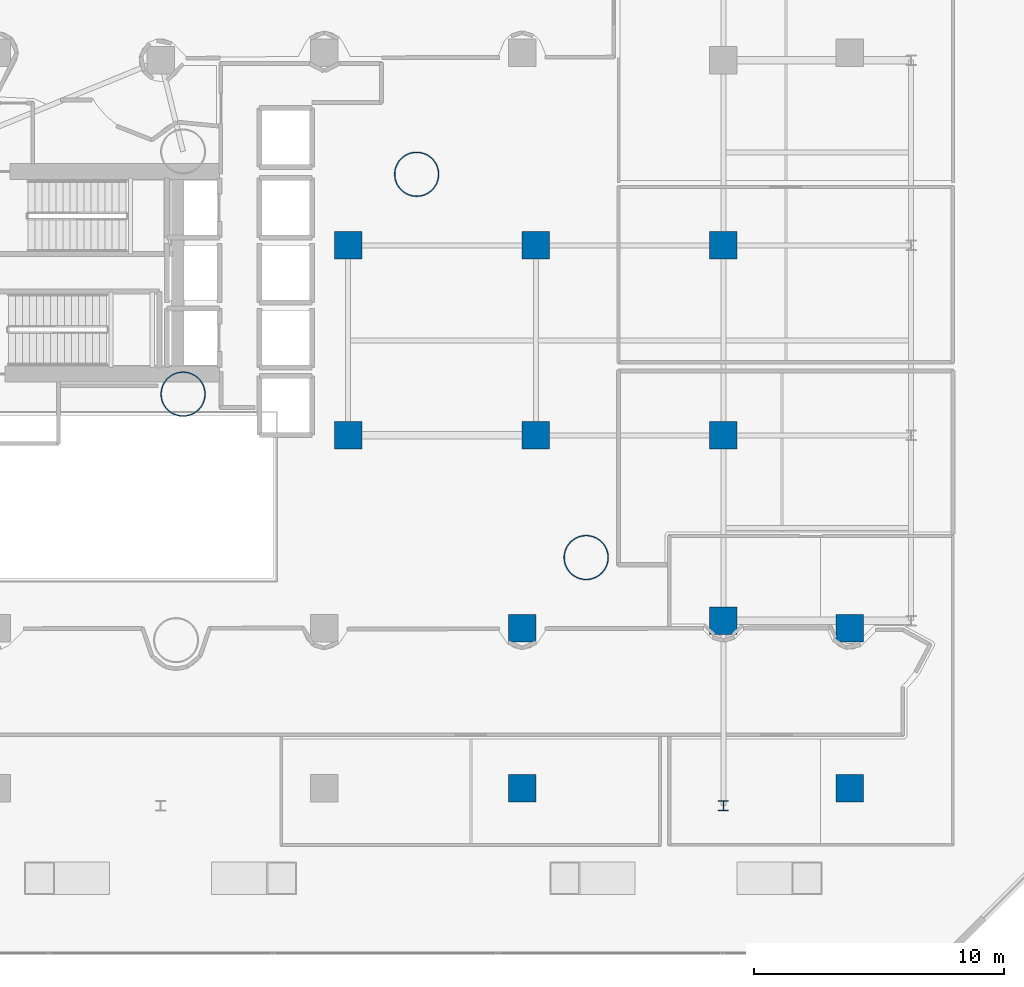
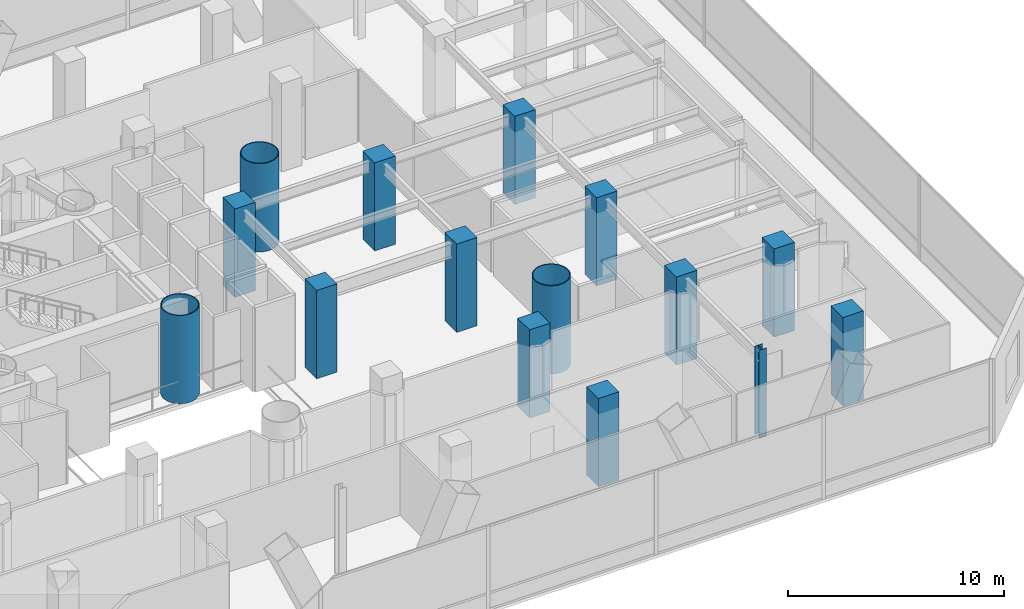
# One storey, part 2 of 42: 15 columns.
"""IFC4 building model written with IfcOpenShell, lengths in metres."""

from ifc_helpers import new_model, si_unit, direction, frame, origin, origin_2d, place, context, subcontext, project, spatial, rectangle, hollow_circle, i_section, extrude, material, material_profile, profile_set, type_object, element, save


model = new_model("IFC4")

# Units and contexts
model_context = context("Model", 3, precision=1e-05, world=origin(), true_north=direction((0.0, 1.0)))
body_context = subcontext(model_context, "Body", "Model", "MODEL_VIEW")
ifc_project = project(units=[si_unit("LENGTHUNIT", "METRE"), si_unit("AREAUNIT", "SQUARE_METRE"), si_unit("VOLUMEUNIT", "CUBIC_METRE"), si_unit("PLANEANGLEUNIT", "RADIAN"), si_unit("MASSUNIT", "GRAM", prefix="KILO")], contexts=[model_context])

# Site, building, storey
site_placement = place(None, origin())
site = spatial("IfcSite", under=ifc_project, at=site_placement, CompositionType="ELEMENT")
building_placement = place(site_placement, origin())
building = spatial("IfcBuilding", under=site, at=building_placement, Name="Qianvela Tower", CompositionType="ELEMENT")
storey_placement = place(building_placement, frame((0.0, 0.0, 6.0)))
storey = spatial("IfcBuildingStorey", under=building, at=storey_placement, Name="L01", CompositionType="ELEMENT", Elevation=6.0)

# Columns
ifc_material_1 = material(Name="Steel Q420GJC", Category="steel")
ifc_material_profile_1 = material_profile(ifc_material_1, hollow_circle(Radius=0.89990234375, WallThickness=0.044921875, at=origin_2d()), Name="CFT-1800x45")
ifc_profile_set_1 = profile_set([ifc_material_profile_1], Name="Steel Q420GJC")
column_type_1 = type_object("IfcColumnType", Name="COL-CFT-1800x45", PredefinedType="COLUMN", material=ifc_profile_set_1)
for number, where, z_axis, x_axis, name in (
    (1, (38.39990234375, 23.85009765625, 0.0), (0.0, 0.0, 1.0), (1.0, 0.0, 0.0), "L01 Core Corner Mega-Column CC-SE"),
    (2, (54.511962890625, 17.31689453125, 0.0), (0.0, 0.0, 1.0), (1.0, 0.0, 0.0), "L01 Tower Base CFT Mega-Column C1"),
    (3, (47.736083984375, 32.636962890625, 0.0), (0.0, 0.0, 1.0), (1.0, 0.0, 0.0), "L01 Tower Base CFT Mega-Column C2"),
):
    element("IfcColumn", number, at=place(storey_placement, frame(where, z_axis=z_axis, x_axis=x_axis)), inside=storey, type_object=column_type_1, Name=name, PredefinedType="COLUMN", context=body_context, shape_type="SweptSolid", body=[
        extrude(hollow_circle(Radius=0.89990234375, WallThickness=0.044921875, at=origin_2d()), origin(), (0.0, 0.0, 1.0), 5.0),
    ])
ifc_material_2 = material(Name="Steel Q355B", Category="steel")
ifc_material_profile_2 = material_profile(ifc_material_2, i_section(OverallWidth=0.39990234375, OverallDepth=0.39990234375, WebThickness=0.012939453125, FlangeThickness=0.02099609375, at=origin_2d()), Name="HW400x400x13x21")
ifc_profile_set_2 = profile_set([ifc_material_profile_2], Name="Steel Q355B")
column_type_2 = type_object("IfcColumnType", Name="COL-HW-400", PredefinedType="COLUMN", material=ifc_profile_set_2)
column_placement = place(storey_placement, frame((60.0, 7.39990234375, 0.0), z_axis=(0.0, 0.0, 1.0), x_axis=(1.0, 0.0, 0.0)))
element("IfcColumn", 4, at=column_placement, inside=storey, type_object=column_type_2, Name="L01 Podium Grid Column P38", PredefinedType="COLUMN", context=body_context, shape_type="SweptSolid", body=[
    extrude(i_section(OverallWidth=0.39990234375, OverallDepth=0.39990234375, WebThickness=0.012939453125, FlangeThickness=0.02099609375, at=origin_2d()), origin(), (0.0, 0.0, 1.0), 5.0),
])
ifc_material_3 = material(Name="Concrete C60", Category="concrete")
ifc_material_profile_3 = material_profile(ifc_material_3, rectangle(XDim=1.10009765625, YDim=1.10009765625, at=origin_2d()), Name="RC-COL-1100x1100")
ifc_profile_set_3 = profile_set([ifc_material_profile_3], Name="Concrete C60")
column_type_3 = type_object("IfcColumnType", Name="COL-RC-1100", PredefinedType="COLUMN", material=ifc_profile_set_3)
for number, where, z_axis, x_axis, name in (
    (5, (51.955322265625, 8.10009765625, 0.0), (0.0, 0.0, 1.0), (1.0, 0.0, 0.0), "L01 Concourse Colonnade Column VC-S3-L-B1"),
    (6, (51.955322265625, 14.5, 0.0), (0.0, 0.0, 1.0), (1.0, 0.0, 0.0), "L01 Concourse Colonnade Column VC-S3-L-B2"),
    (7, (65.044677734375, 8.10009765625, 0.0), (0.0, 0.0, 1.0), (1.0, 0.0, 0.0), "L01 Concourse Colonnade Column VC-S3-R-B1"),
    (8, (65.044677734375, 14.5, 0.0), (0.0, 0.0, 1.0), (1.0, 0.0, 0.0), "L01 Concourse Colonnade Column VC-S3-R-B2"),
    (9, (45.0, 22.199951171875, 0.0), (0.0, 0.0, 1.0), (1.0, 0.0, 0.0), "L01 Podium Grid Column P28"),
    (10, (45.0, 29.800048828125, 0.0), (0.0, 0.0, 1.0), (1.0, 0.0, 0.0), "L01 Podium Grid Column P29"),
    (11, (52.5, 22.199951171875, 0.0), (0.0, 0.0, 1.0), (1.0, 0.0, 0.0), "L01 Podium Grid Column P34"),
    (12, (52.5, 29.800048828125, 0.0), (0.0, 0.0, 1.0), (1.0, 0.0, 0.0), "L01 Podium Grid Column P35"),
    (13, (60.0, 14.800048828125, 0.0), (0.0, 0.0, 1.0), (1.0, 0.0, 0.0), "L01 Podium Grid Column P39"),
    (14, (60.0, 22.199951171875, 0.0), (0.0, 0.0, 1.0), (1.0, 0.0, 0.0), "L01 Podium Grid Column P40"),
    (15, (60.0, 29.800048828125, 0.0), (0.0, 0.0, 1.0), (1.0, 0.0, 0.0), "L01 Podium Grid Column P41"),
):
    element("IfcColumn", number, at=place(storey_placement, frame(where, z_axis=z_axis, x_axis=x_axis)), inside=storey, type_object=column_type_3, Name=name, PredefinedType="COLUMN", context=body_context, shape_type="SweptSolid", body=[
        extrude(rectangle(XDim=1.10009765625, YDim=1.10009765625, at=origin_2d()), origin(), (0.0, 0.0, 1.0), 5.0),
    ])

save(model, "model.ifc")
